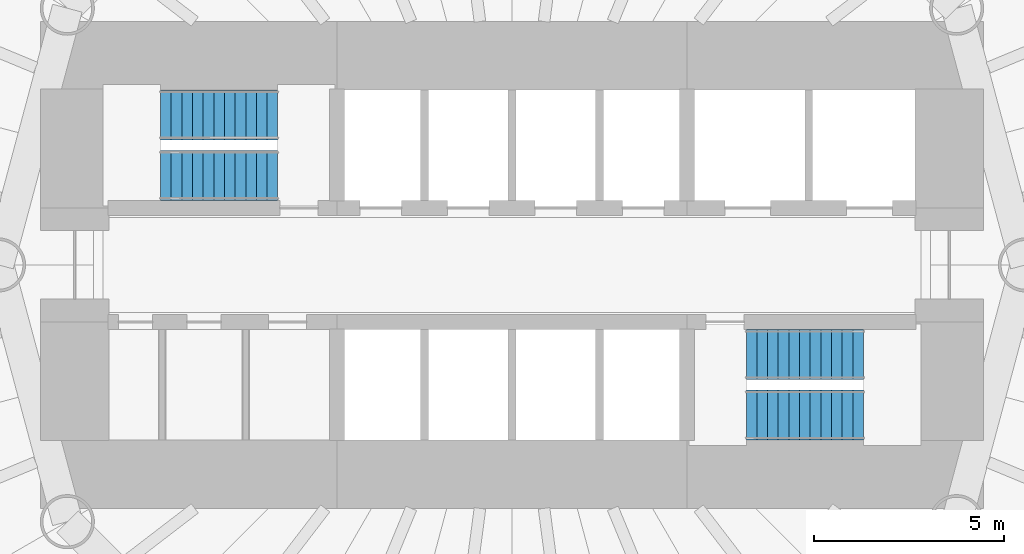
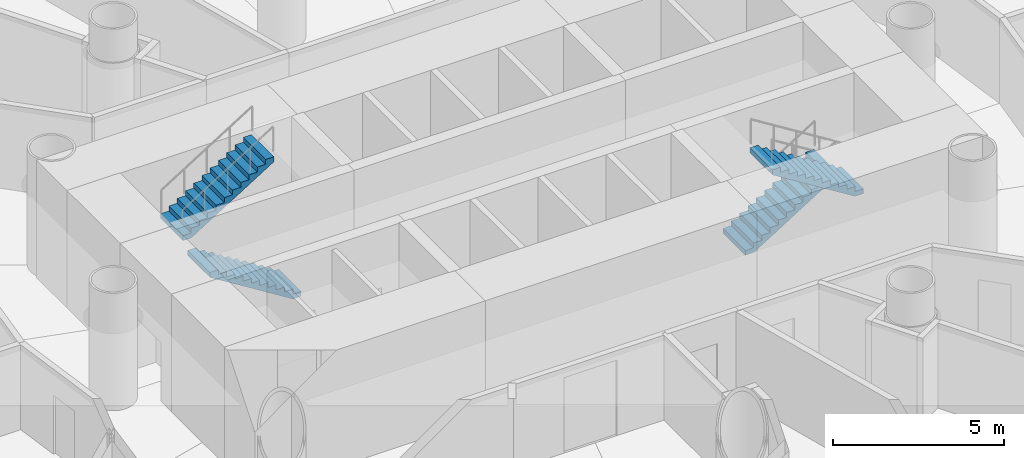
# One storey, part 11 of 15: 4 stair flights, 2 elements without a shape of their own.
"""IFC4 building model written with IfcOpenShell, lengths in metres."""

import ifcopenshell
import ifcopenshell.guid

model = None  # the IFC model being written
_history = None  # IfcOwnerHistory: only IFC2X3 demands one
_inside = {}  # id of a spatial element -> (the spatial element, [elements in it])
_under = {}  # id of a project, library or spatial element -> (it, [spatial elements below it])
_declared = {}  # id of a project -> (the project, [libraries it declares])
_typed = {}  # id of a type object -> (the type object, [elements of that type])
_made_of = {}  # id of a material, layer set ... -> (it, [elements and type objects made of it])


def new_model(schema):
    """Start an empty IFC model of exactly this schema.

    Asked for "IFC4X3", IfcOpenShell would pick the latest addendum, in which some entities
    have other attributes; the version numbers below select the first issue.
    IFC2X3 requires an IfcOwnerHistory on every rooted entity: one is made here for all.
    """
    global model, _history
    if schema == "IFC4X3":
        model = ifcopenshell.file(schema_version=(4, 3, 0, 0))
    else:
        model = ifcopenshell.file(schema=schema)
    _inside.clear()
    _under.clear()
    _declared.clear()
    _typed.clear()
    _made_of.clear()
    _history = None
    if model.schema == "IFC2X3":
        org = make("IfcOrganization", Name="unknown")
        user = make(
            "IfcPersonAndOrganization",
            ThePerson=make("IfcPerson", FamilyName="unknown"),
            TheOrganization=org,
        )
        app = make(
            "IfcApplication",
            ApplicationDeveloper=org,
            Version="unknown",
            ApplicationFullName="unknown",
            ApplicationIdentifier="unknown",
        )
        _history = make(
            "IfcOwnerHistory",
            OwningUser=user,
            OwningApplication=app,
            ChangeAction="ADDED",
            CreationDate=0,
        )
    return model


def make(cls, **values):
    """One entity of the class cls with the attributes given. An attribute that is None is left unset."""
    return model.create_entity(
        cls, **{name: value for name, value in values.items() if value is not None}
    )


def rooted(cls, **values):
    """An entity with a GlobalId (a new one), such as an element, a storey or a relation."""
    return make(cls, GlobalId=ifcopenshell.guid.new(), OwnerHistory=_history, **values)


def si_unit(unit_type, name, prefix=None):
    """IfcSIUnit, for example si_unit("LENGTHUNIT", "METRE", prefix="MILLI")."""
    return make("IfcSIUnit", UnitType=unit_type, Prefix=prefix, Name=name)


def assignment(units):
    """IfcUnitAssignment: the units of a project."""
    return None if units is None else make("IfcUnitAssignment", Units=units)


def point(xyz):
    """IfcCartesianPoint."""
    return None if xyz is None else make("IfcCartesianPoint", Coordinates=xyz)


def direction(xyz):
    """IfcDirection."""
    return None if xyz is None else make("IfcDirection", DirectionRatios=xyz)


def frame(location, z_axis=None, x_axis=None):
    """IfcAxis2Placement3D, a coordinate frame: its origin and axes. An axis left out is left unset."""
    return make(
        "IfcAxis2Placement3D",
        Location=point(location),
        Axis=direction(z_axis),
        RefDirection=direction(x_axis),
    )


def origin():
    """The frame at (0, 0, 0) with its axes left unset."""
    return frame((0.0, 0.0, 0.0))


def place(relative_to, where):
    """IfcLocalPlacement: puts the frame where relative to a parent placement (None: the world)."""
    return make(
        "IfcLocalPlacement", PlacementRelTo=relative_to, RelativePlacement=where
    )


def context(
    kind, dimensions, precision=None, world=None, true_north=None, identifier=None
):
    """IfcGeometricRepresentationContext, for example the 3D "Model" context."""
    return make(
        "IfcGeometricRepresentationContext",
        ContextIdentifier=identifier,
        ContextType=kind,
        CoordinateSpaceDimension=dimensions,
        Precision=precision,
        WorldCoordinateSystem=world,
        TrueNorth=true_north,
    )


def subcontext(parent, identifier, kind, view, scale=None):
    """IfcGeometricRepresentationSubContext, for example "Body" below "Model"."""
    return make(
        "IfcGeometricRepresentationSubContext",
        ContextIdentifier=identifier,
        ContextType=kind,
        ParentContext=parent,
        TargetScale=scale,
        TargetView=view,
    )


def project(units=None, contexts=None):
    """IfcProject with its units and contexts."""
    return rooted(
        "IfcProject",
        Name="project",
        RepresentationContexts=contexts,
        UnitsInContext=assignment(units),
    )


def spatial(cls, under=None, at=None, **own):
    """A site, building, storey or space (cls), placed at a placement, below another one or the project."""
    s = rooted(cls, ObjectPlacement=at, **own)
    if under is not None:
        _under.setdefault(under.id(), (under, []))[1].append(s)
    return s


def polyline(points):
    """IfcPolyline through the points."""
    return make("IfcPolyline", Points=[point(p) for p in points])


def outline(outer, holes=None, kind="AREA"):
    """IfcArbitraryClosedProfileDef: a profile drawn as a closed curve; with holes, ...WithVoids."""
    if holes is None:
        return make("IfcArbitraryClosedProfileDef", ProfileType=kind, OuterCurve=outer)
    return make(
        "IfcArbitraryProfileDefWithVoids",
        ProfileType=kind,
        OuterCurve=outer,
        InnerCurves=holes,
    )


def extrude(swept, where, along, depth):
    """IfcExtrudedAreaSolid: the profile swept, set in the frame where, extruded along a direction by depth."""
    return make(
        "IfcExtrudedAreaSolid",
        SweptArea=swept,
        Position=where,
        ExtrudedDirection=direction(along),
        Depth=depth,
    )


def shape(context_of_items, identifier, shape_type, items):
    """IfcShapeRepresentation: the items that make up one representation, for example the "Body"."""
    return make(
        "IfcShapeRepresentation",
        ContextOfItems=context_of_items,
        RepresentationIdentifier=identifier,
        RepresentationType=shape_type,
        Items=items,
    )


def material(Name=None, Category=None):
    """IfcMaterial."""
    return make("IfcMaterial", Name=Name, Category=Category)


def made_of(thing, what):
    """Note that an element or type object is made of a material, layer set ...; save() writes the relation."""
    if what is not None:
        _made_of.setdefault(what.id(), (what, []))[1].append(thing)
    return thing


def type_object(cls, material=None, **own):
    """A type object (cls), such as IfcWallType, which elements share."""
    return made_of(rooted(cls, **own), material)


def element(
    cls,
    number,
    at=None,
    inside=None,
    cuts=None,
    type_object=None,
    material=None,
    context=None,
    identifier="Body",
    shape_type=None,
    held_by="IfcProductDefinitionShape",
    body=None,
    shapes=None,
    **own,
):
    """One element of the class cls, such as IfcWall. Its Tag is "e" and its number.

    at: its placement. inside: the storey or other place that contains it. cuts: it is an
    opening in that element (IfcRelVoidsElement). A single representation is given by context,
    identifier, shape_type and body (its items); several are given by shapes. held_by: the class
    of the entity that holds the representations. save() writes the other relations.
    """
    e = rooted(cls, Tag="e%d" % number, ObjectPlacement=at, **own)
    if body is not None:
        shapes = [shape(context, identifier, shape_type, body)]
    if shapes is not None:
        e.Representation = make(held_by, Representations=shapes)
    if inside is not None:
        _inside.setdefault(inside.id(), (inside, []))[1].append(e)
    if cuts is not None:
        rooted(
            "IfcRelVoidsElement", RelatingBuildingElement=cuts, RelatedOpeningElement=e
        )
    if type_object is not None:
        _typed.setdefault(type_object.id(), (type_object, []))[1].append(e)
    return made_of(e, material)


def aggregate(whole, parts):
    """IfcRelAggregates: a whole, such as a stair, and the parts it consists of."""
    return rooted("IfcRelAggregates", RelatingObject=whole, RelatedObjects=parts)


def save(model, path):
    """Write the relations noted so far, then the file.

    IfcRelAggregates (storeys below a building ...), IfcRelContainedInSpatialStructure (elements
    in a storey), IfcRelDefinesByType, IfcRelAssociatesMaterial and IfcRelDeclares: one each for
    every whole, place, type object, material and project.
    """
    for whole, parts in _under.values():
        aggregate(whole, parts)
    for where, things in _inside.values():
        rooted(
            "IfcRelContainedInSpatialStructure",
            RelatedElements=things,
            RelatingStructure=where,
        )
    for kind, things in _typed.values():
        rooted("IfcRelDefinesByType", RelatedObjects=things, RelatingType=kind)
    for what, things in _made_of.values():
        rooted("IfcRelAssociatesMaterial", RelatedObjects=things, RelatingMaterial=what)
    for by, libraries in _declared.values():
        rooted("IfcRelDeclares", RelatingContext=by, RelatedDefinitions=libraries)
    model.write(path)


model = new_model("IFC4")

# Units and contexts
model_context = context("Model", 3, precision=1e-05, world=origin(), true_north=direction((0.0, 1.0)))
body_context = subcontext(model_context, "Body", "Model", "MODEL_VIEW")
ifc_project = project(units=[si_unit("LENGTHUNIT", "METRE"), si_unit("AREAUNIT", "SQUARE_METRE"), si_unit("VOLUMEUNIT", "CUBIC_METRE"), si_unit("PLANEANGLEUNIT", "RADIAN"), si_unit("MASSUNIT", "GRAM", prefix="KILO")], contexts=[model_context])

# Site, building, storey
site_placement = place(None, origin())
site = spatial("IfcSite", under=ifc_project, at=site_placement, CompositionType="ELEMENT")
building_placement = place(site_placement, origin())
building = spatial("IfcBuilding", under=site, at=building_placement, Name="Qaws Media Tower", CompositionType="ELEMENT")
storey_placement = place(building_placement, frame((0.0, 0.0, 51.199951171875)))
storey = spatial("IfcBuildingStorey", under=building, at=storey_placement, Name="L10", CompositionType="ELEMENT", Elevation=51.199951171875)

# Stair, stair flights
ifc_material_1 = material(Name="Concrete C40/50", Category="concrete")
stair_type = type_object("IfcStairType", Name="Exit stair", PredefinedType="HALF_TURN_STAIR", material=ifc_material_1)
stair_1_placement = place(storey_placement, origin())
stair_1 = element("IfcStair", 1, at=stair_1_placement, inside=storey, type_object=stair_type, Name="S1 exit stair L10", PredefinedType="HALF_TURN_STAIR")
ifc_material_2 = material(Name="Concrete C40/50", Category="concrete")
stair_flight_type = type_object("IfcStairFlightType", Name="Stair flight 1310", PredefinedType="STRAIGHT", material=ifc_material_2)
stair_flight_1_placement = place(storey_placement, frame((53.840087890625, 52.35498046875, 0.0), z_axis=(0.0, 0.0, 1.0), x_axis=(-1.0, 0.0, 0.0)))
stair_flight_1 = element("IfcStairFlight", 2, at=stair_flight_1_placement, type_object=stair_flight_type, Name="S1 flight 1", NumberOfRisers=12, NumberOfTreads=11, PredefinedType="STRAIGHT", RiserHeight=0.175, TreadLength=0.28, context=body_context, shape_type="SweptSolid", body=[
    extrude(outline(polyline([(0.0, 0.0), (0.0, 0.175048828125), (0.280029296875, 0.175048828125), (0.280029296875, 0.35009765625), (0.56005859375, 0.35009765625), (0.56005859375, 0.52490234375), (0.840087890625, 0.52490234375), (0.840087890625, 0.699951171875), (1.1201171875, 0.699951171875), (1.1201171875, 0.875), (1.39990234375, 0.875), (1.39990234375, 1.050048828125), (1.679931640625, 1.050048828125), (1.679931640625, 1.22509765625), (1.9599609375, 1.22509765625), (1.9599609375, 1.39990234375), (2.239990234375, 1.39990234375), (2.239990234375, 1.574951171875), (2.52001953125, 1.574951171875), (2.52001953125, 1.75), (2.800048828125, 1.75), (2.800048828125, 1.925048828125), (3.080078125, 1.925048828125), (3.080078125, 2.10009765625), (3.080078125, 1.748291015625), (0.28271484375, 0.0), (0.0, 0.0)])), frame((0.0, 0.655029296875, 0.0), z_axis=(0.0, -1.0, 0.0), x_axis=(1.0, 0.0, 0.0)), (0.0, 0.0, 1.0), 1.31005859375),
])
stair_flight_2_placement = place(storey_placement, frame((50.760009765625, 53.945068359375, 2.10009765625), z_axis=(0.0, 0.0, 1.0), x_axis=(1.0, 0.0, 0.0)))
stair_flight_2 = element("IfcStairFlight", 3, at=stair_flight_2_placement, type_object=stair_flight_type, Name="S1 flight 2", NumberOfRisers=12, NumberOfTreads=11, PredefinedType="STRAIGHT", RiserHeight=0.175, TreadLength=0.28, context=body_context, shape_type="SweptSolid", body=[
    extrude(outline(polyline([(0.0, 0.0), (0.0, 0.175048828125), (0.280029296875, 0.175048828125), (0.280029296875, 0.35009765625), (0.56005859375, 0.35009765625), (0.56005859375, 0.52490234375), (0.840087890625, 0.52490234375), (0.840087890625, 0.699951171875), (1.1201171875, 0.699951171875), (1.1201171875, 0.875), (1.39990234375, 0.875), (1.39990234375, 1.050048828125), (1.679931640625, 1.050048828125), (1.679931640625, 1.22509765625), (1.9599609375, 1.22509765625), (1.9599609375, 1.39990234375), (2.239990234375, 1.39990234375), (2.239990234375, 1.574951171875), (2.52001953125, 1.574951171875), (2.52001953125, 1.75), (2.800048828125, 1.75), (2.800048828125, 1.925048828125), (3.080078125, 1.925048828125), (3.080078125, 2.10009765625), (3.080078125, 1.748291015625), (0.28271484375, 0.0), (0.0, 0.0)])), frame((0.0, 0.655029296875, 0.0), z_axis=(0.0, -1.0, 0.0), x_axis=(1.0, 0.0, 0.0)), (0.0, 0.0, 1.0), 1.31005859375),
])
aggregate(stair_1, [stair_flight_1, stair_flight_2])

stair_2_placement = place(storey_placement, origin())
stair_2 = element("IfcStair", 4, at=stair_2_placement, inside=storey, type_object=stair_type, Name="S2 exit stair L10", PredefinedType="HALF_TURN_STAIR")
stair_flight_3_placement = place(storey_placement, frame((66.159912109375, 47.64501953125, 0.0), z_axis=(0.0, 0.0, 1.0), x_axis=(1.0, 0.0, 0.0)))
stair_flight_3 = element("IfcStairFlight", 5, at=stair_flight_3_placement, type_object=stair_flight_type, Name="S2 flight 1", NumberOfRisers=12, NumberOfTreads=11, PredefinedType="STRAIGHT", RiserHeight=0.175, TreadLength=0.28, context=body_context, shape_type="SweptSolid", body=[
    extrude(outline(polyline([(0.0, 0.0), (0.0, 0.175048828125), (0.280029296875, 0.175048828125), (0.280029296875, 0.35009765625), (0.56005859375, 0.35009765625), (0.56005859375, 0.52490234375), (0.840087890625, 0.52490234375), (0.840087890625, 0.699951171875), (1.1201171875, 0.699951171875), (1.1201171875, 0.875), (1.39990234375, 0.875), (1.39990234375, 1.050048828125), (1.679931640625, 1.050048828125), (1.679931640625, 1.22509765625), (1.9599609375, 1.22509765625), (1.9599609375, 1.39990234375), (2.239990234375, 1.39990234375), (2.239990234375, 1.574951171875), (2.52001953125, 1.574951171875), (2.52001953125, 1.75), (2.800048828125, 1.75), (2.800048828125, 1.925048828125), (3.080078125, 1.925048828125), (3.080078125, 2.10009765625), (3.080078125, 1.748291015625), (0.28271484375, 0.0), (0.0, 0.0)])), frame((0.0, 0.655029296875, 0.0), z_axis=(0.0, -1.0, 0.0), x_axis=(1.0, 0.0, 0.0)), (0.0, 0.0, 1.0), 1.31005859375),
])
stair_flight_4_placement = place(storey_placement, frame((69.239990234375, 46.054931640625, 2.10009765625), z_axis=(0.0, 0.0, 1.0), x_axis=(-1.0, 0.0, 0.0)))
stair_flight_4 = element("IfcStairFlight", 6, at=stair_flight_4_placement, type_object=stair_flight_type, Name="S2 flight 2", NumberOfRisers=12, NumberOfTreads=11, PredefinedType="STRAIGHT", RiserHeight=0.175, TreadLength=0.28, context=body_context, shape_type="SweptSolid", body=[
    extrude(outline(polyline([(0.0, 0.0), (0.0, 0.175048828125), (0.280029296875, 0.175048828125), (0.280029296875, 0.35009765625), (0.56005859375, 0.35009765625), (0.56005859375, 0.52490234375), (0.840087890625, 0.52490234375), (0.840087890625, 0.699951171875), (1.1201171875, 0.699951171875), (1.1201171875, 0.875), (1.39990234375, 0.875), (1.39990234375, 1.050048828125), (1.679931640625, 1.050048828125), (1.679931640625, 1.22509765625), (1.9599609375, 1.22509765625), (1.9599609375, 1.39990234375), (2.239990234375, 1.39990234375), (2.239990234375, 1.574951171875), (2.52001953125, 1.574951171875), (2.52001953125, 1.75), (2.800048828125, 1.75), (2.800048828125, 1.925048828125), (3.080078125, 1.925048828125), (3.080078125, 2.10009765625), (3.080078125, 1.748291015625), (0.28271484375, 0.0), (0.0, 0.0)])), frame((0.0, 0.655029296875, 0.0), z_axis=(0.0, -1.0, 0.0), x_axis=(1.0, 0.0, 0.0)), (0.0, 0.0, 1.0), 1.31005859375),
])
aggregate(stair_2, [stair_flight_3, stair_flight_4])

save(model, "model.ifc")
